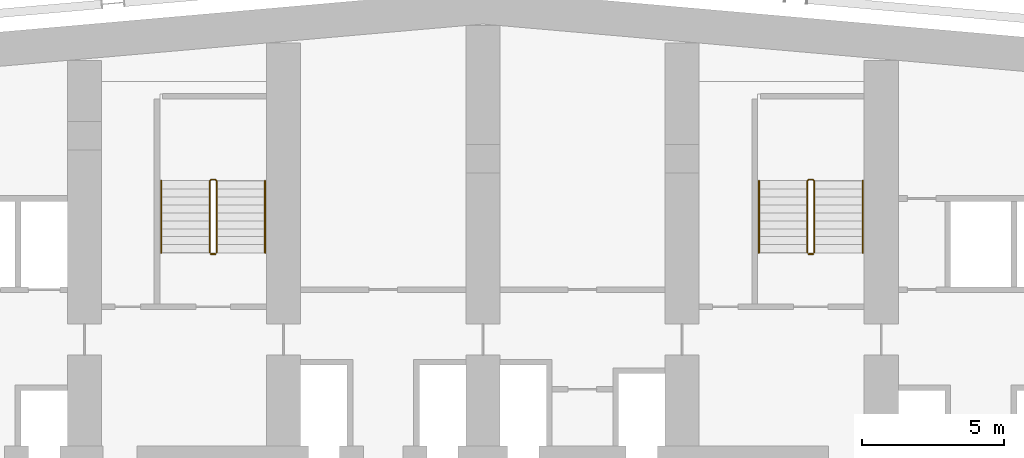
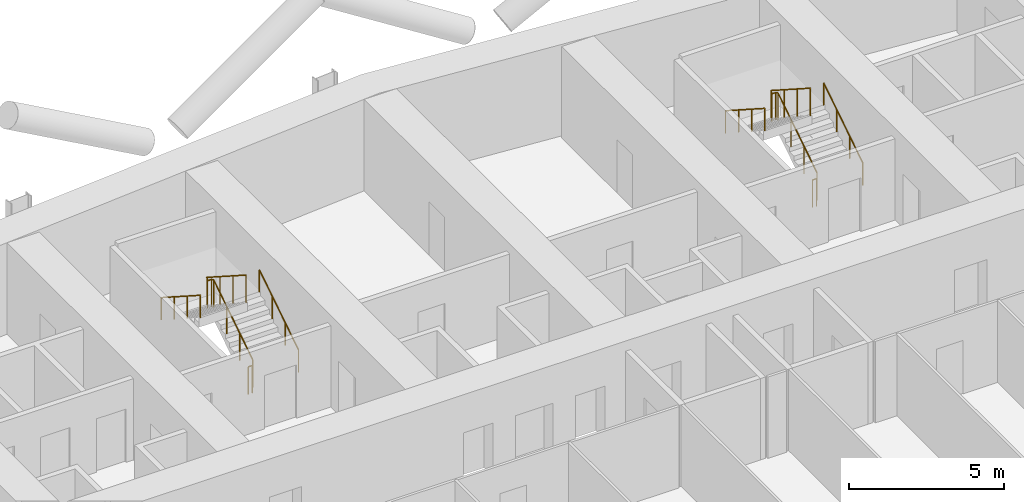
# One storey, part 26 of 27: 8 railings.
"""IFC4 building model written with IfcOpenShell, lengths in metres."""

from ifc_helpers import new_model, si_unit, direction, frame, origin, origin_2d, place, context, subcontext, project, spatial, circle, extrude, material, type_object, element, save


model = new_model("IFC4")

# Units and contexts
model_context = context("Model", 3, precision=1e-05, world=origin(), true_north=direction((0.0, 1.0)))
body_context = subcontext(model_context, "Body", "Model", "MODEL_VIEW")
ifc_project = project(units=[si_unit("LENGTHUNIT", "METRE"), si_unit("AREAUNIT", "SQUARE_METRE"), si_unit("VOLUMEUNIT", "CUBIC_METRE"), si_unit("PLANEANGLEUNIT", "RADIAN"), si_unit("MASSUNIT", "GRAM", prefix="KILO")], contexts=[model_context])

# Site, building, storey
site_placement = place(None, origin())
site = spatial("IfcSite", under=ifc_project, at=site_placement, CompositionType="ELEMENT")
building_placement = place(site_placement, origin())
building = spatial("IfcBuilding", under=site, at=building_placement, Name="Wharfspan Tower", CompositionType="ELEMENT")
storey_placement = place(building_placement, frame((0.0, 0.0, 55.899902)))
storey = spatial("IfcBuildingStorey", under=building, at=storey_placement, Name="L10", CompositionType="ELEMENT", Elevation=55.899902)

# Railings
ifc_material = material(Name="Steel S355J2", Category="steel")
railing_type_1 = type_object("IfcRailingType", Name="Stair guard 1100", PredefinedType="GUARDRAIL", material=ifc_material)
railing_1_placement = place(storey_placement, frame((27.649902, 42.0, 0.180176)))
element("IfcRailing", 1, at=railing_1_placement, inside=storey, type_object=railing_type_1, Name="L10 ST1 stair guard 1", PredefinedType="GUARDRAIL", context=body_context, shape_type="SweptSolid", body=[
    extrude(circle(Radius=0.023926, at=origin_2d()), frame((0.0, 0.0, 1.076172), z_axis=(0.0, 0.8412, 0.540725), x_axis=(-1.0, 0.0, 0.0)), (0.0, 0.0, 1.0), 2.99585),
    extrude(circle(Radius=0.023926, at=origin_2d()), frame((0.0, 2.52002, 2.695801), z_axis=(-0.705376, 0.708834, 0.0), x_axis=(-0.708834, -0.705376, 0.0)), (0.0, 0.0, 1.0), 0.070557),
    extrude(circle(Radius=0.023926, at=origin_2d()), frame((-0.049805, 2.570068, 2.695801), z_axis=(-1.0, 0.0, 0.0), x_axis=(0.0, -1.0, 0.0)), (0.0, 0.0, 1.0), 0.150146),
    extrude(circle(Radius=0.023926, at=origin_2d()), frame((-0.199951, 2.570068, 2.695801), z_axis=(-0.258848, -0.258848, 0.930589), x_axis=(0.707107, -0.707107, 0.0)), (0.0, 0.0, 1.0), 0.193359),
    extrude(circle(Radius=0.023926, at=origin_2d()), frame((-0.25, 2.52002, 2.875977), z_axis=(0.0, -0.841163, 0.540782), x_axis=(1.0, 0.0, 0.0)), (0.0, 0.0, 1.0), 2.99585),
    extrude(circle(Radius=0.020996, at=origin_2d()), origin(), (0.0, 0.0, 1.0), 1.052002),
    extrude(circle(Radius=0.020996, at=origin_2d()), frame((0.0, 0.840088, 0.540039)), (0.0, 0.0, 1.0), 1.052002),
    extrude(circle(Radius=0.020996, at=origin_2d()), frame((0.0, 1.679932, 1.079834)), (0.0, 0.0, 1.0), 1.052002),
    extrude(circle(Radius=0.020996, at=origin_2d()), frame((0.0, 2.52002, 1.619873)), (0.0, 0.0, 1.0), 1.052002),
    extrude(circle(Radius=0.020996, at=origin_2d()), frame((-0.049805, 2.570068, 1.619873)), (0.0, 0.0, 1.0), 1.052002),
    extrude(circle(Radius=0.020996, at=origin_2d()), frame((-0.199951, 2.570068, 1.619873)), (0.0, 0.0, 1.0), 1.052002),
    extrude(circle(Radius=0.020996, at=origin_2d()), frame((-0.25, 2.52002, 1.799805)), (0.0, 0.0, 1.0), 1.052002),
    extrude(circle(Radius=0.020996, at=origin_2d()), frame((-0.25, 1.679932, 2.339844)), (0.0, 0.0, 1.0), 1.052002),
    extrude(circle(Radius=0.020996, at=origin_2d()), frame((-0.25, 0.840088, 2.879883)), (0.0, 0.0, 1.0), 1.052002),
    extrude(circle(Radius=0.020996, at=origin_2d()), frame((-0.25, 0.0, 3.419922)), (0.0, 0.0, 1.0), 1.052002),
])
railing_2_placement = place(storey_placement, frame((27.600098, 41.949951, 0.0)))
element("IfcRailing", 2, at=railing_2_placement, inside=storey, type_object=railing_type_1, Name="L10 ST1 stair guard 2", PredefinedType="GUARDRAIL", context=body_context, shape_type="SweptSolid", body=[
    extrude(circle(Radius=0.023926, at=origin_2d()), frame((0.0, 0.0, 1.076172), z_axis=(-1.0, 0.0, 0.0), x_axis=(0.0, -1.0, 0.0)), (0.0, 0.0, 1.0), 0.150146),
    extrude(circle(Radius=0.020996, at=origin_2d()), origin(), (0.0, 0.0, 1.0), 1.052002),
    extrude(circle(Radius=0.020996, at=origin_2d()), frame((-0.150146, 0.0, 0.0)), (0.0, 0.0, 1.0), 1.052002),
])
railing_3_placement = place(storey_placement, frame((48.649902, 42.0, 0.180176)))
element("IfcRailing", 3, at=railing_3_placement, inside=storey, type_object=railing_type_1, Name="L10 ST2 stair guard 1", PredefinedType="GUARDRAIL", context=body_context, shape_type="SweptSolid", body=[
    extrude(circle(Radius=0.023926, at=origin_2d()), frame((0.0, 0.0, 1.076172), z_axis=(0.0, 0.8412, 0.540725), x_axis=(-1.0, 0.0, 0.0)), (0.0, 0.0, 1.0), 2.99585),
    extrude(circle(Radius=0.023926, at=origin_2d()), frame((0.0, 2.52002, 2.695801), z_axis=(-0.705376, 0.708834, 0.0), x_axis=(-0.708834, -0.705376, 0.0)), (0.0, 0.0, 1.0), 0.070557),
    extrude(circle(Radius=0.023926, at=origin_2d()), frame((-0.049805, 2.570068, 2.695801), z_axis=(-1.0, 0.0, 0.0), x_axis=(0.0, -1.0, 0.0)), (0.0, 0.0, 1.0), 0.150146),
    extrude(circle(Radius=0.023926, at=origin_2d()), frame((-0.199951, 2.570068, 2.695801), z_axis=(-0.258848, -0.258848, 0.930589), x_axis=(0.707107, -0.707107, 0.0)), (0.0, 0.0, 1.0), 0.193359),
    extrude(circle(Radius=0.023926, at=origin_2d()), frame((-0.25, 2.52002, 2.875977), z_axis=(0.0, -0.841163, 0.540782), x_axis=(1.0, 0.0, 0.0)), (0.0, 0.0, 1.0), 2.99585),
    extrude(circle(Radius=0.020996, at=origin_2d()), origin(), (0.0, 0.0, 1.0), 1.052002),
    extrude(circle(Radius=0.020996, at=origin_2d()), frame((0.0, 0.840088, 0.540039)), (0.0, 0.0, 1.0), 1.052002),
    extrude(circle(Radius=0.020996, at=origin_2d()), frame((0.0, 1.679932, 1.079834)), (0.0, 0.0, 1.0), 1.052002),
    extrude(circle(Radius=0.020996, at=origin_2d()), frame((0.0, 2.52002, 1.619873)), (0.0, 0.0, 1.0), 1.052002),
    extrude(circle(Radius=0.020996, at=origin_2d()), frame((-0.049805, 2.570068, 1.619873)), (0.0, 0.0, 1.0), 1.052002),
    extrude(circle(Radius=0.020996, at=origin_2d()), frame((-0.199951, 2.570068, 1.619873)), (0.0, 0.0, 1.0), 1.052002),
    extrude(circle(Radius=0.020996, at=origin_2d()), frame((-0.25, 2.52002, 1.799805)), (0.0, 0.0, 1.0), 1.052002),
    extrude(circle(Radius=0.020996, at=origin_2d()), frame((-0.25, 1.679932, 2.339844)), (0.0, 0.0, 1.0), 1.052002),
    extrude(circle(Radius=0.020996, at=origin_2d()), frame((-0.25, 0.840088, 2.879883)), (0.0, 0.0, 1.0), 1.052002),
    extrude(circle(Radius=0.020996, at=origin_2d()), frame((-0.25, 0.0, 3.419922)), (0.0, 0.0, 1.0), 1.052002),
])
railing_4_placement = place(storey_placement, frame((48.600098, 41.949951, 0.0)))
element("IfcRailing", 4, at=railing_4_placement, inside=storey, type_object=railing_type_1, Name="L10 ST2 stair guard 2", PredefinedType="GUARDRAIL", context=body_context, shape_type="SweptSolid", body=[
    extrude(circle(Radius=0.023926, at=origin_2d()), frame((0.0, 0.0, 1.076172), z_axis=(-1.0, 0.0, 0.0), x_axis=(0.0, -1.0, 0.0)), (0.0, 0.0, 1.0), 0.150146),
    extrude(circle(Radius=0.020996, at=origin_2d()), origin(), (0.0, 0.0, 1.0), 1.052002),
    extrude(circle(Radius=0.020996, at=origin_2d()), frame((-0.150146, 0.0, 0.0)), (0.0, 0.0, 1.0), 1.052002),
])
railing_type_2 = type_object("IfcRailingType", Name="Stair handrail 900", PredefinedType="HANDRAIL", material=ifc_material)
railing_5_placement = place(storey_placement, frame((29.350098, 42.0, 0.180176)))
element("IfcRailing", 5, at=railing_5_placement, inside=storey, type_object=railing_type_2, Name="L10 ST1 stair handrail 1", PredefinedType="HANDRAIL", context=body_context, shape_type="SweptSolid", body=[
    extrude(circle(Radius=0.023926, at=origin_2d()), frame((0.0, 0.0, 0.875977), z_axis=(0.0, 0.8412, 0.540725), x_axis=(-1.0, 0.0, 0.0)), (0.0, 0.0, 1.0), 2.99585),
    extrude(circle(Radius=0.020996, at=origin_2d()), origin(), (0.0, 0.0, 1.0), 0.851807),
    extrude(circle(Radius=0.020996, at=origin_2d()), frame((0.0, 0.840088, 0.540039)), (0.0, 0.0, 1.0), 0.851807),
    extrude(circle(Radius=0.020996, at=origin_2d()), frame((0.0, 1.679932, 1.079834)), (0.0, 0.0, 1.0), 0.851807),
    extrude(circle(Radius=0.020996, at=origin_2d()), frame((0.0, 2.52002, 1.619873)), (0.0, 0.0, 1.0), 0.851807),
])
railing_6_placement = place(storey_placement, frame((25.699951, 44.52002, 1.97998)))
element("IfcRailing", 6, at=railing_6_placement, inside=storey, type_object=railing_type_2, Name="L10 ST1 stair handrail 2", PredefinedType="HANDRAIL", context=body_context, shape_type="SweptSolid", body=[
    extrude(circle(Radius=0.023926, at=origin_2d()), frame((0.0, 0.0, 0.875977), z_axis=(0.0, -0.841163, 0.540782), x_axis=(1.0, 0.0, 0.0)), (0.0, 0.0, 1.0), 2.99585),
    extrude(circle(Radius=0.020996, at=origin_2d()), origin(), (0.0, 0.0, 1.0), 0.851807),
    extrude(circle(Radius=0.020996, at=origin_2d()), frame((0.0, -0.840088, 0.540039)), (0.0, 0.0, 1.0), 0.851807),
    extrude(circle(Radius=0.020996, at=origin_2d()), frame((0.0, -1.679932, 1.080078)), (0.0, 0.0, 1.0), 0.851807),
    extrude(circle(Radius=0.020996, at=origin_2d()), frame((0.0, -2.52002, 1.620117)), (0.0, 0.0, 1.0), 0.851807),
])
railing_7_placement = place(storey_placement, frame((50.350098, 42.0, 0.180176)))
element("IfcRailing", 7, at=railing_7_placement, inside=storey, type_object=railing_type_2, Name="L10 ST2 stair handrail 1", PredefinedType="HANDRAIL", context=body_context, shape_type="SweptSolid", body=[
    extrude(circle(Radius=0.023926, at=origin_2d()), frame((0.0, 0.0, 0.875977), z_axis=(0.0, 0.8412, 0.540725), x_axis=(-1.0, 0.0, 0.0)), (0.0, 0.0, 1.0), 2.99585),
    extrude(circle(Radius=0.020996, at=origin_2d()), origin(), (0.0, 0.0, 1.0), 0.851807),
    extrude(circle(Radius=0.020996, at=origin_2d()), frame((0.0, 0.840088, 0.540039)), (0.0, 0.0, 1.0), 0.851807),
    extrude(circle(Radius=0.020996, at=origin_2d()), frame((0.0, 1.679932, 1.079834)), (0.0, 0.0, 1.0), 0.851807),
    extrude(circle(Radius=0.020996, at=origin_2d()), frame((0.0, 2.52002, 1.619873)), (0.0, 0.0, 1.0), 0.851807),
])
railing_8_placement = place(storey_placement, frame((46.699951, 44.52002, 1.97998)))
element("IfcRailing", 8, at=railing_8_placement, inside=storey, type_object=railing_type_2, Name="L10 ST2 stair handrail 2", PredefinedType="HANDRAIL", context=body_context, shape_type="SweptSolid", body=[
    extrude(circle(Radius=0.023926, at=origin_2d()), frame((0.0, 0.0, 0.875977), z_axis=(0.0, -0.841163, 0.540782), x_axis=(1.0, 0.0, 0.0)), (0.0, 0.0, 1.0), 2.99585),
    extrude(circle(Radius=0.020996, at=origin_2d()), origin(), (0.0, 0.0, 1.0), 0.851807),
    extrude(circle(Radius=0.020996, at=origin_2d()), frame((0.0, -0.840088, 0.540039)), (0.0, 0.0, 1.0), 0.851807),
    extrude(circle(Radius=0.020996, at=origin_2d()), frame((0.0, -1.679932, 1.080078)), (0.0, 0.0, 1.0), 0.851807),
    extrude(circle(Radius=0.020996, at=origin_2d()), frame((0.0, -2.52002, 1.620117)), (0.0, 0.0, 1.0), 0.851807),
])

save(model, "model.ifc")
